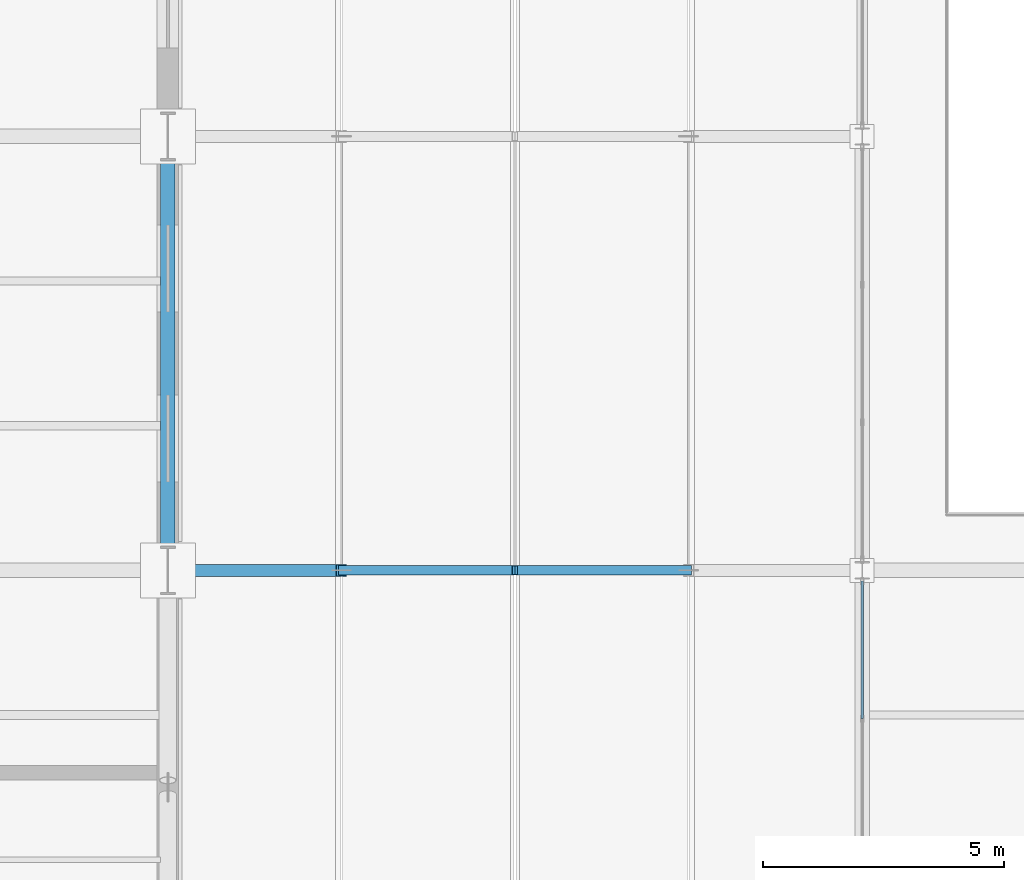
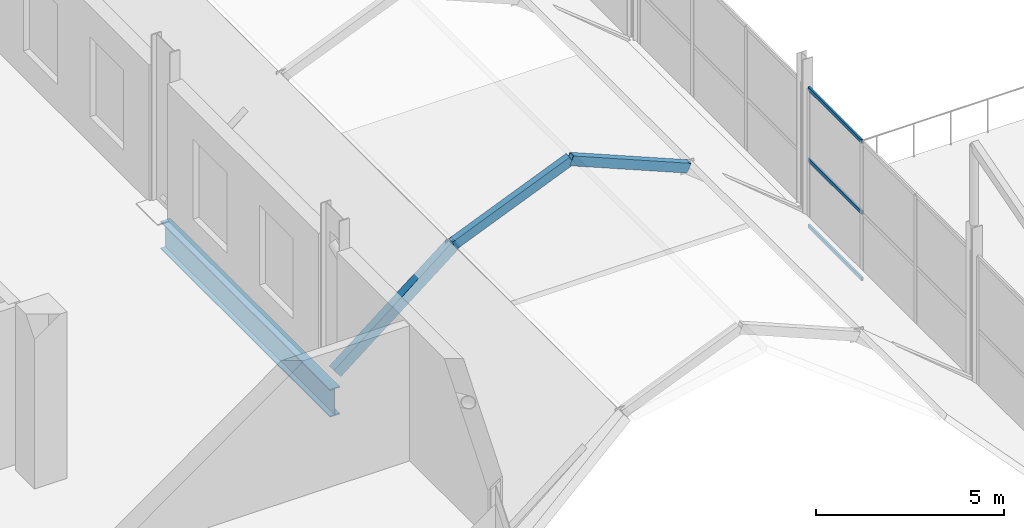
# One storey, part 31 of 141: 6 members, 1 beam, 1 element without a shape of its own.
"""IFC4 building model written with IfcOpenShell, lengths in metres."""

from ifc_helpers import new_model, si_unit, direction, frame, origin, origin_2d, place, context, subcontext, project, spatial, hollow_rectangle, i_section, extrude, material, layer, layer_set, material_profile, profile_set, type_object, element, aggregate, save


model = new_model("IFC4")

# Units and contexts
model_context = context("Model", 3, precision=1e-05, world=origin(), true_north=direction((0.0, 1.0)))
body_context = subcontext(model_context, "Body", "Model", "MODEL_VIEW")
ifc_project = project(units=[si_unit("LENGTHUNIT", "METRE"), si_unit("AREAUNIT", "SQUARE_METRE"), si_unit("VOLUMEUNIT", "CUBIC_METRE"), si_unit("PLANEANGLEUNIT", "RADIAN"), si_unit("MASSUNIT", "GRAM", prefix="KILO")], contexts=[model_context])

# Site, building, storey
site_placement = place(None, origin())
site = spatial("IfcSite", under=ifc_project, at=site_placement, CompositionType="ELEMENT")
building_placement = place(site_placement, origin())
building = spatial("IfcBuilding", under=site, at=building_placement, Name="Sundgate Opera House", CompositionType="ELEMENT")
storey_placement = place(building_placement, frame((0.0, 0.0, 11.39990234375)))
storey = spatial("IfcBuildingStorey", under=building, at=storey_placement, Name="L02", CompositionType="ELEMENT", Elevation=11.39990234375)

# Beam
ifc_material_1 = material(Name="Steel S355ML", Category="steel")
ifc_material_profile_1 = material_profile(ifc_material_1, i_section(OverallWidth=0.300048828125, OverallDepth=0.89990234375, WebThickness=0.0185546875, FlangeThickness=0.034912109375, at=origin_2d()), Name="HEB 900")
ifc_profile_set_1 = profile_set([ifc_material_profile_1], Name="Steel S355ML")
beam_type = type_object("IfcBeamType", Name="BM-TR-HEB900", PredefinedType="BEAM", material=ifc_profile_set_1)
beam_placement = place(storey_placement, frame((81.0, 42.0, -0.7998046875), z_axis=(0.0, 1.0, 0.0), x_axis=(-1.0, 0.0, 0.0)))
element("IfcBeam", 1, at=beam_placement, inside=storey, type_object=beam_type, Name="L02 Cube Perimeter Transfer Girder B0020", PredefinedType="BEAM", context=body_context, shape_type="SweptSolid", body=[
    extrude(i_section(OverallWidth=0.300048828125, OverallDepth=0.89990234375, WebThickness=0.0185546875, FlangeThickness=0.034912109375, at=origin_2d()), origin(), (0.0, 0.0, 1.0), 9.0),
])

# Curtain wall, members
ifc_material_2 = material(Name="Anodized aluminium and low-iron glass", Category="aluminium")
ifc_layer = layer(ifc_material_2, 0.159912109375)
ifc_layer_set = layer_set([ifc_layer], Name="Anodized aluminium and low-iron glass")
curtain_wall_type = type_object("IfcCurtainWallType", Name="CW-STUDIO-DARK", PredefinedType="NOTDEFINED", material=ifc_layer_set)
curtain_wall_placement = place(storey_placement, origin())
curtain_wall = element("IfcCurtainWall", 2, at=curtain_wall_placement, inside=storey, type_object=curtain_wall_type, Name="L02 Curtain Wall CW062", PredefinedType="NOTDEFINED")
ifc_material_3 = material(Name="Anodized aluminium EN AW-6063", Category="aluminium")
ifc_material_profile_2 = material_profile(ifc_material_3, hollow_rectangle(XDim=0.054931640625, YDim=0.1201171875, WallThickness=0.00390625, at=origin_2d()), Name="CWT 120x55x4")
ifc_profile_set_2 = profile_set([ifc_material_profile_2], Name="Anodized aluminium EN AW-6063")
member_type_1 = type_object("IfcMemberType", Name="CWT-ALU-120x55", PredefinedType="USERDEFINED", material=ifc_profile_set_2)
member_1_placement = place(storey_placement, frame((95.39990234375, 41.77490234375, 0.0), z_axis=(0.0, -1.0, 0.0), x_axis=(1.0, 0.0, 0.0)))
member_1 = element("IfcMember", 3, at=member_1_placement, type_object=member_type_1, Name="CW062 Transom 1", ObjectType="TRANSOM", PredefinedType="USERDEFINED", context=body_context, shape_type="SweptSolid", body=[
    extrude(hollow_rectangle(XDim=0.054931640625, YDim=0.1201171875, WallThickness=0.00390625, at=origin_2d()), origin(), (0.0, 0.0, 1.0), 2.849853515625),
])
member_2_placement = place(storey_placement, frame((95.39990234375, 41.77490234375, 2.150146484375), z_axis=(0.0, -1.0, 0.0), x_axis=(1.0, 0.0, 0.0)))
member_2 = element("IfcMember", 4, at=member_2_placement, type_object=member_type_1, Name="CW062 Transom 2", ObjectType="TRANSOM", PredefinedType="USERDEFINED", context=body_context, shape_type="SweptSolid", body=[
    extrude(hollow_rectangle(XDim=0.054931640625, YDim=0.1201171875, WallThickness=0.00390625, at=origin_2d()), origin(), (0.0, 0.0, 1.0), 2.849853515625),
])
member_3_placement = place(storey_placement, frame((95.39990234375, 41.77490234375, 4.455078125), z_axis=(0.0, -1.0, 0.0), x_axis=(1.0, 0.0, 0.0)))
member_3 = element("IfcMember", 5, at=member_3_placement, type_object=member_type_1, Name="CW062 Transom 3", ObjectType="TRANSOM", PredefinedType="USERDEFINED", context=body_context, shape_type="SweptSolid", body=[
    extrude(hollow_rectangle(XDim=0.054931640625, YDim=0.1201171875, WallThickness=0.00390625, at=origin_2d()), origin(), (0.0, 0.0, 1.0), 2.849853515625),
])
aggregate(curtain_wall, [member_1, member_2, member_3])

# Members
ifc_material_4 = material(Name="Steel S355J2", Category="steel")
ifc_material_profile_3 = material_profile(ifc_material_4, hollow_rectangle(XDim=0.199951171875, YDim=0.300048828125, WallThickness=0.012451171875, at=origin_2d()), Name="RHS 300x200x12.5")
ifc_profile_set_3 = profile_set([ifc_material_profile_3], Name="Steel S355J2")
member_type_2 = type_object("IfcMemberType", Name="MB-ARCH-RHS300", PredefinedType="USERDEFINED", material=ifc_profile_set_3)
member_4_placement = place(storey_placement, frame((84.60009765625, 42.0, 3.050048828125), z_axis=(0.923071366561, 0.0, 0.384628719983), x_axis=(0.0, 1.0, 0.0)))
element("IfcMember", 6, at=member_4_placement, inside=storey, type_object=member_type_2, Name="Passage Parabolic Arch Rib M0315", ObjectType="ARCH RIB", PredefinedType="USERDEFINED", context=body_context, shape_type="SweptSolid", body=[
    extrude(hollow_rectangle(XDim=0.199951171875, YDim=0.300048828125, WallThickness=0.012451171875, at=origin_2d()), origin(), (0.0, 0.0, 1.0), 3.89990234375),
])
member_5_placement = place(storey_placement, frame((88.199951171875, 42.0, 4.550048828125), z_axis=(0.9230806271, 0.0, -0.384606494839), x_axis=(0.0, 1.0, 0.0)))
element("IfcMember", 7, at=member_5_placement, inside=storey, type_object=member_type_2, Name="Passage Parabolic Arch Rib M0316", ObjectType="ARCH RIB", PredefinedType="USERDEFINED", context=body_context, shape_type="SweptSolid", body=[
    extrude(hollow_rectangle(XDim=0.199951171875, YDim=0.300048828125, WallThickness=0.012451171875, at=origin_2d()), origin(), (0.0, 0.0, 1.0), 3.900146484375),
])
ifc_material_5 = material(Name="Steel S355ML", Category="steel")
ifc_material_profile_4 = material_profile(ifc_material_5, hollow_rectangle(XDim=0.25, YDim=0.35009765625, WallThickness=0.012451171875, at=origin_2d()), Name="RHS 350x250x12.5")
ifc_profile_set_4 = profile_set([ifc_material_profile_4], Name="Steel S355ML")
member_type_3 = type_object("IfcMemberType", Name="MB-ARCH-RHS350", PredefinedType="USERDEFINED", material=ifc_profile_set_4)
member_6_placement = place(storey_placement, frame((81.0, 42.0, 0.18505859375), z_axis=(0.782465902377, 0.0, 0.622693433093), x_axis=(0.0, 1.0, 0.0)))
element("IfcMember", 8, at=member_6_placement, inside=storey, type_object=member_type_3, Name="Passage Parabolic Arch Rib M0314", ObjectType="ARCH RIB", PredefinedType="USERDEFINED", context=body_context, shape_type="SweptSolid", body=[
    extrude(hollow_rectangle(XDim=0.25, YDim=0.35009765625, WallThickness=0.012451171875, at=origin_2d()), origin(), (0.0, 0.0, 1.0), 4.60107421875),
])

save(model, "model.ifc")
